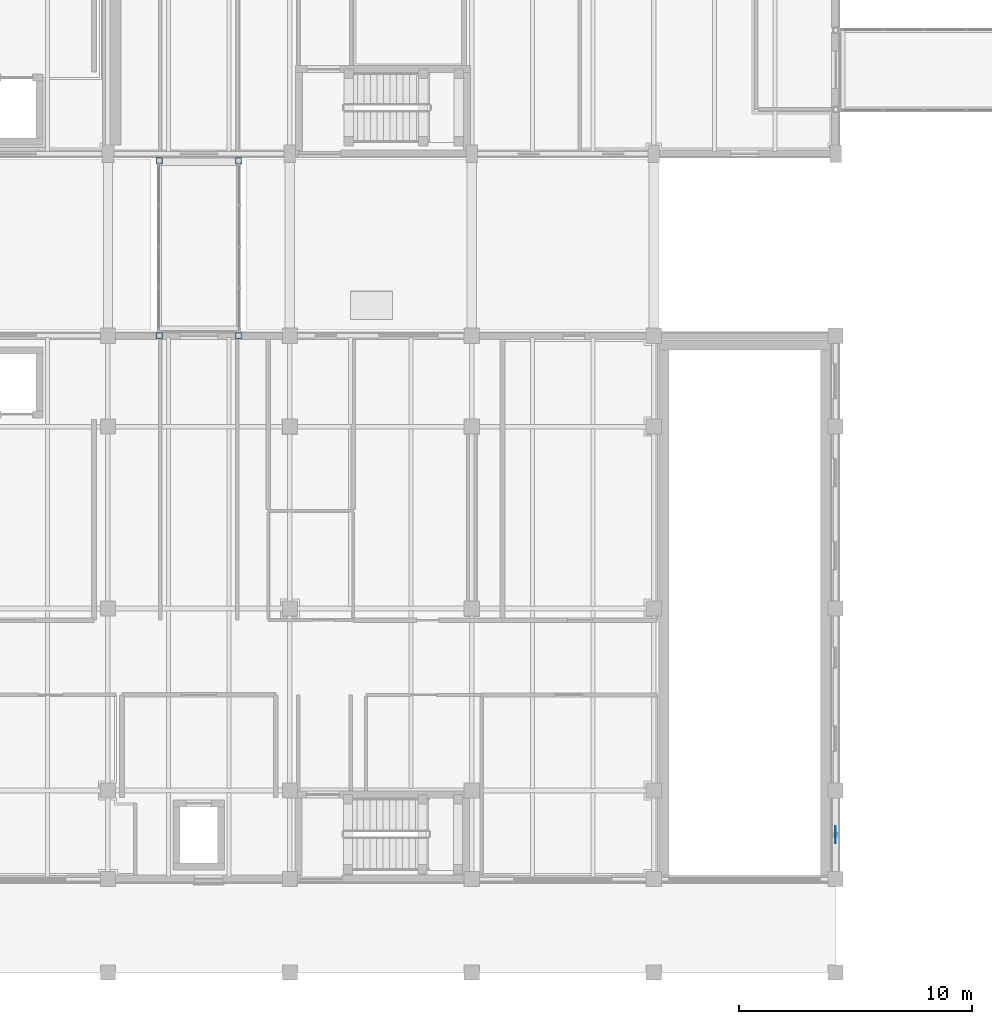
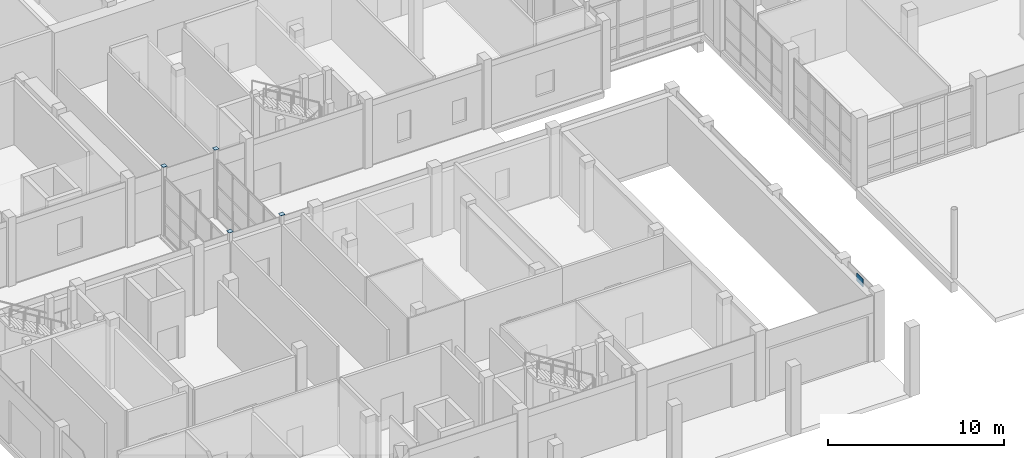
# One storey, part 84 of 131: 5 plates.
"""IFC4 building model written with IfcOpenShell, lengths in metres."""

from ifc_helpers import new_model, si_unit, direction, frame, origin, origin_2d, place, context, subcontext, project, spatial, rectangle, extrude, material, layer, layer_set, type_object, element, save


model = new_model("IFC4")

# Units and contexts
model_context = context("Model", 3, precision=1e-05, world=origin(), true_north=direction((0.0, 1.0)))
body_context = subcontext(model_context, "Body", "Model", "MODEL_VIEW")
ifc_project = project(units=[si_unit("LENGTHUNIT", "METRE"), si_unit("AREAUNIT", "SQUARE_METRE"), si_unit("VOLUMEUNIT", "CUBIC_METRE"), si_unit("PLANEANGLEUNIT", "RADIAN"), si_unit("MASSUNIT", "GRAM", prefix="KILO")], contexts=[model_context])

# Site, building, storey
site_placement = place(None, origin())
site = spatial("IfcSite", under=ifc_project, at=site_placement, CompositionType="ELEMENT")
building_placement = place(site_placement, origin())
building = spatial("IfcBuilding", under=site, at=building_placement, Name="Celorna Specialist Clinic", CompositionType="ELEMENT")
storey_placement = place(building_placement, origin())
storey = spatial("IfcBuildingStorey", under=building, at=storey_placement, Name="L00", CompositionType="ELEMENT", Elevation=0.0)

# Plates
ifc_material = material(Name="Steel S355", Category="steel")
ifc_layer_1 = layer(ifc_material, 0.013916015625, Name="Steel S355")
ifc_layer_set_1 = layer_set([ifc_layer_1], Name="Steel S355")
plate_type_1 = type_object("IfcPlateType", Name="EP-05", PredefinedType="SHEET", material=ifc_layer_set_1)
for number, where, z_axis, x_axis, name in (
    (1, (17.800048828125, 27.300048828125, 4.800048828125), (0.0, 0.0, 1.0), (1.0, 0.0, 0.0), "Hollow column cap plate COL-L00-CT-15-1780-2730"),
    (2, (21.199951171875, 27.300048828125, 4.800048828125), (0.0, 0.0, 1.0), (1.0, 0.0, 0.0), "Hollow column cap plate COL-L00-CT-15-2120-2730"),
    (3, (17.800048828125, 34.800048828125, 4.800048828125), (0.0, 0.0, 1.0), (1.0, 0.0, 0.0), "Hollow column cap plate COL-L00-CT-15-1780-3480"),
    (4, (21.199951171875, 34.800048828125, 4.800048828125), (0.0, 0.0, 1.0), (1.0, 0.0, 0.0), "Hollow column cap plate COL-L00-CT-15-2120-3480"),
):
    element("IfcPlate", number, at=place(storey_placement, frame(where, z_axis=z_axis, x_axis=x_axis)), inside=storey, type_object=plate_type_1, Name=name, PredefinedType="SHEET", context=body_context, shape_type="SweptSolid", body=[
        extrude(rectangle(XDim=0.280029296875, YDim=0.280029296875, at=origin_2d()), origin(), (0.0, 0.0, 1.0), 0.01611328125),
    ])
ifc_layer_2 = layer(ifc_material, 0.02490234375, Name="Steel S355")
ifc_layer_set_2 = layer_set([ifc_layer_2], Name="Steel S355")
plate_type_2 = type_object("IfcPlateType", Name="GP-02", PredefinedType="USERDEFINED", material=ifc_layer_set_2)
plate_placement = place(storey_placement, frame((46.800048828125, 5.89990234375, 3.969970703125), z_axis=(0.0, 0.0, 1.0), x_axis=(0.0, 1.0, 0.0)))
element("IfcPlate", 5, at=plate_placement, inside=storey, type_object=plate_type_2, Name="Chevron apex gusset plate GP-02 #75", ObjectType="GUSSET PLATE", PredefinedType="USERDEFINED", context=body_context, shape_type="SweptSolid", body=[
    extrude(rectangle(XDim=0.719970703125, YDim=0.02490234375, at=origin_2d()), origin(), (0.0, 0.0, 1.0), 0.56005859375),
])

save(model, "model.ifc")
